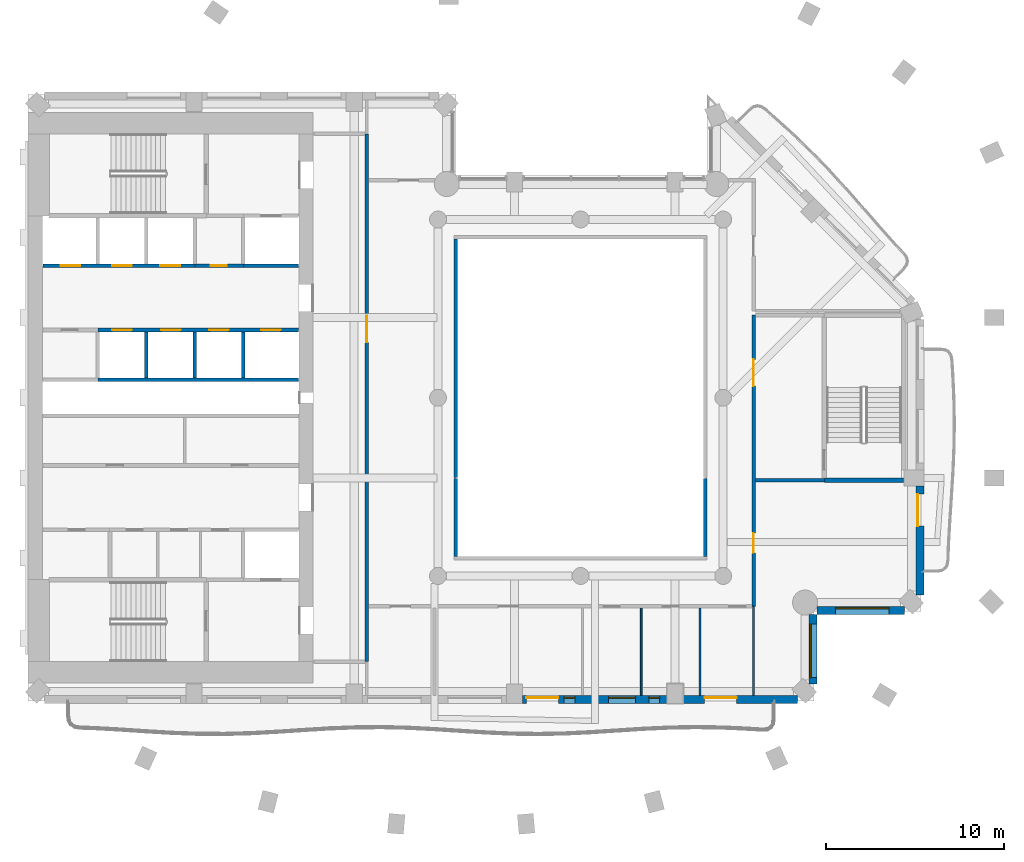
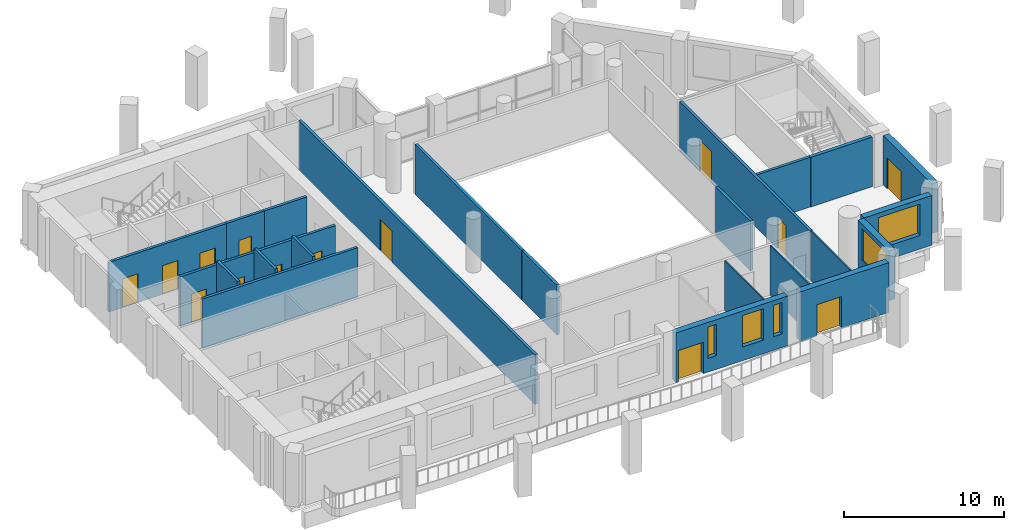
# One storey, part 5 of 13: 23 walls, 14 doors, 5 windows, 19 openings.
"""IFC4 building model written with IfcOpenShell, lengths in metres."""

from ifc_helpers import new_model, si_unit, direction, frame, frame_2d, origin, place, context, subcontext, project, spatial, rectangle, extrude, material, layer, layer_set, type_object, element, fill, save


model = new_model("IFC4")

# Units and contexts
model_context = context("Model", 3, precision=1e-05, world=origin(), true_north=direction((0.0, 1.0)))
body_context = subcontext(model_context, "Body", "Model", "MODEL_VIEW")
ifc_project = project(units=[si_unit("LENGTHUNIT", "METRE"), si_unit("AREAUNIT", "SQUARE_METRE"), si_unit("VOLUMEUNIT", "CUBIC_METRE"), si_unit("PLANEANGLEUNIT", "RADIAN"), si_unit("MASSUNIT", "GRAM", prefix="KILO")], contexts=[model_context])

# Site, building, storey
site_placement = place(None, origin())
site = spatial("IfcSite", under=ifc_project, at=site_placement, CompositionType="ELEMENT")
building_placement = place(site_placement, origin())
building = spatial("IfcBuilding", under=site, at=building_placement, Name="Cypress Arch Tower", CompositionType="ELEMENT")
storey_placement = place(building_placement, frame((0.0, 0.0, 209.699951171875)))
storey = spatial("IfcBuildingStorey", under=building, at=storey_placement, Name="L46", CompositionType="ELEMENT", Elevation=209.699951171875)

# Wall, openings, door, windows
ifc_material_1 = material(Name="Brick (red buff blend)", Category="masonry")
ifc_layer_1 = layer(ifc_material_1, 0.449951171875)
ifc_layer_set_1 = layer_set([ifc_layer_1], Name="Brick pier and spandrel wall BW450")
wall_type_1 = type_object("IfcWallType", Name="Brick pier and spandrel wall BW450", PredefinedType="SOLIDWALL", material=ifc_layer_set_1)
wall_1_placement = place(storey_placement, frame((-2.25, -16.925048828125, 0.0), z_axis=(0.0, 0.0, 1.0), x_axis=(1.0, 0.0, 0.0)))
wall_1 = element("IfcWall", 1, at=wall_1_placement, inside=storey, type_object=wall_type_1, Name="Brick wall L46 B01.3", PredefinedType="SOLIDWALL", context=body_context, shape_type="SweptSolid", body=[
    extrude(rectangle(XDim=8.10009765625, YDim=0.449951171875, at=frame_2d((4.050048828125, 0.0))), origin(), (0.0, 0.0, 1.0), 3.800048828125),
])
opening_1_placement = place(wall_1_placement, frame((0.199951171875, 0.0, 0.0)))
opening_1 = element("IfcOpeningElement", 2, at=opening_1_placement, cuts=wall_1, Name="Opening D-L46-B01.3.1", PredefinedType="OPENING", context=body_context, shape_type="SweptSolid", body=[
    extrude(rectangle(XDim=1.800048828125, YDim=2.39990234375, at=frame_2d((0.89990234375, 1.199951171875))), frame((0.0, 0.23486328125, 0.0), z_axis=(0.0, -1.0, 0.0), x_axis=(1.0, 0.0, 0.0)), (0.0, 0.0, 1.0), 0.469970703125),
])
opening_2_placement = place(wall_1_placement, frame((2.324951171875, 0.0, 1.050048828125)))
opening_2 = element("IfcOpeningElement", 3, at=opening_2_placement, cuts=wall_1, Name="Opening W060OD", PredefinedType="OPENING", context=body_context, shape_type="SweptSolid", body=[
    extrude(rectangle(XDim=0.60009765625, YDim=2.39990234375, at=frame_2d((0.300048828125, 1.199951171875))), frame((0.0, 0.23486328125, 0.0), z_axis=(0.0, -1.0, 0.0), x_axis=(1.0, 0.0, 0.0)), (0.0, 0.0, 1.0), 0.469970703125),
])
opening_3_placement = place(wall_1_placement, frame((4.824951171875, 0.0, 1.050048828125)))
opening_3 = element("IfcOpeningElement", 4, at=opening_3_placement, cuts=wall_1, Name="Opening W150OD", PredefinedType="OPENING", context=body_context, shape_type="SweptSolid", body=[
    extrude(rectangle(XDim=1.5, YDim=2.39990234375, at=frame_2d((0.75, 1.199951171875))), frame((0.0, 0.23486328125, 0.0), z_axis=(0.0, -1.0, 0.0), x_axis=(1.0, 0.0, 0.0)), (0.0, 0.0, 1.0), 0.469970703125),
])
opening_4_placement = place(wall_1_placement, frame((7.074951171875, 0.0, 1.050048828125)))
opening_4 = element("IfcOpeningElement", 5, at=opening_4_placement, cuts=wall_1, Name="Opening W060OD", PredefinedType="OPENING", context=body_context, shape_type="SweptSolid", body=[
    extrude(rectangle(XDim=0.60009765625, YDim=2.39990234375, at=frame_2d((0.300048828125, 1.199951171875))), frame((0.0, 0.23486328125, 0.0), z_axis=(0.0, -1.0, 0.0), x_axis=(1.0, 0.0, 0.0)), (0.0, 0.0, 1.0), 0.469970703125),
])
ifc_material_2 = material(Name="Anodised aluminium, bronze finish, laminated low-emissivity double glazing, large-missile impact rated", Category="aluminium")
door_type_1 = type_object("IfcDoorType", Name="Balcony sliding door 1800x2400", OperationType="SLIDING_TO_LEFT", PredefinedType="DOOR", material=ifc_material_2)
door_1_placement = place(opening_1_placement, origin())
door_1 = element("IfcDoor", 6, at=door_1_placement, inside=storey, type_object=door_type_1, Name="Balcony door L46 B01.3.1", OperationType="SLIDING_TO_LEFT", OverallHeight=2.39990234375, OverallWidth=1.800048828125, PredefinedType="DOOR", context=body_context, shape_type="SweptSolid", body=[
    extrude(rectangle(XDim=1.800048828125, YDim=2.39990234375, at=frame_2d((0.89990234375, 1.199951171875))), frame((0.0, 0.1298828125, 0.0), z_axis=(0.0, -1.0, 0.0), x_axis=(1.0, 0.0, 0.0)), (0.0, 0.0, 1.0), 0.050048828125),
])
fill(opening_1, door_1)
ifc_material_3 = material(Name="Anodised aluminium, bronze finish, laminated low-emissivity double glazing, large-missile impact rated", Category="aluminium")
window_type_1 = type_object("IfcWindowType", Name="Window Office 1500x2400 debris-rated", PartitioningType="SINGLE_PANEL", PredefinedType="WINDOW", material=ifc_material_3)
window_1_placement = place(opening_3_placement, origin())
window_1 = element("IfcWindow", 7, at=window_1_placement, inside=storey, type_object=window_type_1, Name="Window L46 B01.3.2", OverallHeight=2.39990234375, OverallWidth=1.5, PartitioningType="SINGLE_PANEL", PredefinedType="WINDOW", context=body_context, shape_type="SweptSolid", body=[
    extrude(rectangle(XDim=1.5, YDim=2.39990234375, at=frame_2d((0.75, 1.199951171875))), frame((0.0, 0.135009765625, 0.0), z_axis=(0.0, -1.0, 0.0), x_axis=(1.0, 0.0, 0.0)), (0.0, 0.0, 1.0), 0.06005859375),
])
fill(opening_3, window_1)
ifc_material_4 = material(Name="Anodised aluminium, bronze finish, laminated low-emissivity double glazing, large-missile impact rated", Category="aluminium")
window_type_2 = type_object("IfcWindowType", Name="Window Office 600x2400 debris-rated", PartitioningType="SINGLE_PANEL", PredefinedType="WINDOW", material=ifc_material_4)
window_2_placement = place(opening_2_placement, origin())
window_2 = element("IfcWindow", 8, at=window_2_placement, inside=storey, type_object=window_type_2, Name="Window L46 B01.3.1", OverallHeight=2.39990234375, OverallWidth=0.60009765625, PartitioningType="SINGLE_PANEL", PredefinedType="WINDOW", context=body_context, shape_type="SweptSolid", body=[
    extrude(rectangle(XDim=0.60009765625, YDim=2.39990234375, at=frame_2d((0.300048828125, 1.199951171875))), frame((0.0, 0.135009765625, 0.0), z_axis=(0.0, -1.0, 0.0), x_axis=(1.0, 0.0, 0.0)), (0.0, 0.0, 1.0), 0.06005859375),
])
fill(opening_2, window_2)
window_3_placement = place(opening_4_placement, origin())
window_3 = element("IfcWindow", 9, at=window_3_placement, inside=storey, type_object=window_type_2, Name="Window L46 B01.3.2b", OverallHeight=2.39990234375, OverallWidth=0.60009765625, PartitioningType="SINGLE_PANEL", PredefinedType="WINDOW", context=body_context, shape_type="SweptSolid", body=[
    extrude(rectangle(XDim=0.60009765625, YDim=2.39990234375, at=frame_2d((0.300048828125, 1.199951171875))), frame((0.0, 0.135009765625, 0.0), z_axis=(0.0, -1.0, 0.0), x_axis=(1.0, 0.0, 0.0)), (0.0, 0.0, 1.0), 0.06005859375),
])
fill(opening_4, window_3)

# Wall, opening, door
wall_2_placement = place(storey_placement, frame((6.75, -16.925048828125, 0.0), z_axis=(0.0, 0.0, 1.0), x_axis=(1.0, 0.0, 0.0)))
wall_2 = element("IfcWall", 10, at=wall_2_placement, inside=storey, type_object=wall_type_1, Name="Brick wall L46 B01.4", PredefinedType="SOLIDWALL", context=body_context, shape_type="SweptSolid", body=[
    extrude(rectangle(XDim=6.41357421875, YDim=0.449951171875, at=frame_2d((3.206787109375, 0.0))), origin(), (0.0, 0.0, 1.0), 3.800048828125),
])
opening_5_placement = place(wall_2_placement, frame((1.199951171875, 0.0, 0.0)))
opening_5 = element("IfcOpeningElement", 11, at=opening_5_placement, cuts=wall_2, Name="Opening D-L46-B01.4.1", PredefinedType="OPENING", context=body_context, shape_type="SweptSolid", body=[
    extrude(rectangle(XDim=1.800048828125, YDim=2.39990234375, at=frame_2d((0.89990234375, 1.199951171875))), frame((0.0, 0.23486328125, 0.0), z_axis=(0.0, -1.0, 0.0), x_axis=(1.0, 0.0, 0.0)), (0.0, 0.0, 1.0), 0.469970703125),
])
door_2_placement = place(opening_5_placement, origin())
door_2 = element("IfcDoor", 12, at=door_2_placement, inside=storey, type_object=door_type_1, Name="Balcony door L46 B01.4.1", OperationType="SLIDING_TO_LEFT", OverallHeight=2.39990234375, OverallWidth=1.800048828125, PredefinedType="DOOR", context=body_context, shape_type="SweptSolid", body=[
    extrude(rectangle(XDim=1.800048828125, YDim=2.39990234375, at=frame_2d((0.89990234375, 1.199951171875))), frame((0.0, 0.1298828125, 0.0), z_axis=(0.0, -1.0, 0.0), x_axis=(1.0, 0.0, 0.0)), (0.0, 0.0, 1.0), 0.050048828125),
])
fill(opening_5, door_2)

# Wall, opening, window
wall_3_placement = place(storey_placement, frame((14.02490234375, -16.063720703125, 0.0), z_axis=(0.0, 0.0, 1.0), x_axis=(0.0, 1.0, 0.0)))
wall_3 = element("IfcWall", 13, at=wall_3_placement, inside=storey, type_object=wall_type_1, Name="Brick wall L46 B02.0", PredefinedType="SOLIDWALL", context=body_context, shape_type="SweptSolid", body=[
    extrude(rectangle(XDim=3.9091796875, YDim=0.449951171875, at=frame_2d((1.95458984375, 0.0))), origin(), (0.0, 0.0, 1.0), 3.800048828125),
])
opening_6_placement = place(wall_3_placement, frame((0.363525390625, 0.0, 1.050048828125)))
opening_6 = element("IfcOpeningElement", 14, at=opening_6_placement, cuts=wall_3, Name="Opening W300O", PredefinedType="OPENING", context=body_context, shape_type="SweptSolid", body=[
    extrude(rectangle(XDim=3.0, YDim=2.39990234375, at=frame_2d((1.5, 1.199951171875))), frame((0.0, 0.23486328125, 0.0), z_axis=(0.0, -1.0, 0.0), x_axis=(1.0, 0.0, 0.0)), (0.0, 0.0, 1.0), 0.469970703125),
])
ifc_material_5 = material(Name="Anodised aluminium, bronze finish, clear low-emissivity double glazing", Category="aluminium")
window_type_3 = type_object("IfcWindowType", Name="Window Office 3000x2400", PartitioningType="SINGLE_PANEL", PredefinedType="WINDOW", material=ifc_material_5)
window_4_placement = place(opening_6_placement, origin())
window_4 = element("IfcWindow", 15, at=window_4_placement, inside=storey, type_object=window_type_3, Name="Window L46 B02.0.1", OverallHeight=2.39990234375, OverallWidth=3.0, PartitioningType="SINGLE_PANEL", PredefinedType="WINDOW", context=body_context, shape_type="SweptSolid", body=[
    extrude(rectangle(XDim=3.0, YDim=2.39990234375, at=frame_2d((1.5, 1.199951171875))), frame((0.0, 0.135009765625, 0.0), z_axis=(0.0, -1.0, 0.0), x_axis=(1.0, 0.0, 0.0)), (0.0, 0.0, 1.0), 0.06005859375),
])
fill(opening_6, window_4)

wall_4_placement = place(storey_placement, frame((14.254638671875, -11.925048828125, 0.0), z_axis=(0.0, 0.0, 1.0), x_axis=(1.0, 0.0, 0.0)))
wall_4 = element("IfcWall", 16, at=wall_4_placement, inside=storey, type_object=wall_type_1, Name="Brick wall L46 B03.0", PredefinedType="SOLIDWALL", context=body_context, shape_type="SweptSolid", body=[
    extrude(rectangle(XDim=4.908935546875, YDim=0.449951171875, at=frame_2d((2.45458984375, 0.0))), origin(), (0.0, 0.0, 1.0), 3.800048828125),
])
opening_7_placement = place(wall_4_placement, frame((1.04541015625, 0.0, 1.050048828125)))
opening_7 = element("IfcOpeningElement", 17, at=opening_7_placement, cuts=wall_4, Name="Opening W300O", PredefinedType="OPENING", context=body_context, shape_type="SweptSolid", body=[
    extrude(rectangle(XDim=3.0, YDim=2.39990234375, at=frame_2d((1.5, 1.199951171875))), frame((0.0, 0.23486328125, 0.0), z_axis=(0.0, -1.0, 0.0), x_axis=(1.0, 0.0, 0.0)), (0.0, 0.0, 1.0), 0.469970703125),
])
window_5_placement = place(opening_7_placement, origin())
window_5 = element("IfcWindow", 18, at=window_5_placement, inside=storey, type_object=window_type_3, Name="Window L46 B03.0.1", OverallHeight=2.39990234375, OverallWidth=3.0, PartitioningType="SINGLE_PANEL", PredefinedType="WINDOW", context=body_context, shape_type="SweptSolid", body=[
    extrude(rectangle(XDim=3.0, YDim=2.39990234375, at=frame_2d((1.5, 1.199951171875))), frame((0.0, 0.135009765625, 0.0), z_axis=(0.0, -1.0, 0.0), x_axis=(1.0, 0.0, 0.0)), (0.0, 0.0, 1.0), 0.06005859375),
])
fill(opening_7, window_5)

# Wall, opening, door
wall_5_placement = place(storey_placement, frame((20.02490234375, -11.063720703125, 0.0), z_axis=(0.0, 0.0, 1.0), x_axis=(0.0, 1.0, 0.0)))
wall_5 = element("IfcWall", 19, at=wall_5_placement, inside=storey, type_object=wall_type_1, Name="Brick wall L46 B04.0", PredefinedType="SOLIDWALL", context=body_context, shape_type="SweptSolid", body=[
    extrude(rectangle(XDim=6.11376953125, YDim=0.449951171875, at=frame_2d((3.056884765625, 0.0))), origin(), (0.0, 0.0, 1.0), 3.800048828125),
])
opening_8_placement = place(wall_5_placement, frame((3.863525390625, 0.0, 0.0)))
opening_8 = element("IfcOpeningElement", 20, at=opening_8_placement, cuts=wall_5, Name="Opening D-L46-B04.0.2", PredefinedType="OPENING", context=body_context, shape_type="SweptSolid", body=[
    extrude(rectangle(XDim=1.800048828125, YDim=2.39990234375, at=frame_2d((0.89990234375, 1.199951171875))), frame((0.0, 0.23486328125, 0.0), z_axis=(0.0, -1.0, 0.0), x_axis=(1.0, 0.0, 0.0)), (0.0, 0.0, 1.0), 0.469970703125),
])
door_3_placement = place(opening_8_placement, origin())
door_3 = element("IfcDoor", 21, at=door_3_placement, inside=storey, type_object=door_type_1, Name="Balcony door L46 B04.0.2", OperationType="SLIDING_TO_LEFT", OverallHeight=2.39990234375, OverallWidth=1.800048828125, PredefinedType="DOOR", context=body_context, shape_type="SweptSolid", body=[
    extrude(rectangle(XDim=1.800048828125, YDim=2.39990234375, at=frame_2d((0.89990234375, 1.199951171875))), frame((0.0, 0.1298828125, 0.0), z_axis=(0.0, -1.0, 0.0), x_axis=(1.0, 0.0, 0.0)), (0.0, 0.0, 1.0), 0.050048828125),
])
fill(opening_8, door_3)

ifc_material_6 = material(Name="Concrete blockwork, plastered, rated", Category="masonry")
ifc_layer_2 = layer(ifc_material_6, 0.199951171875)
ifc_layer_set_2 = layer_set([ifc_layer_2], Name="Corridor wall FW200")
wall_type_2 = type_object("IfcWallType", Name="Corridor wall FW200", PredefinedType="PARTITIONING", material=ifc_layer_set_2)
wall_6_placement = place(storey_placement, frame((-20.639892578125, 7.39990234375, 0.0), z_axis=(0.0, 0.0, 1.0), x_axis=(1.0, 0.0, 0.0)))
wall_6 = element("IfcWall", 22, at=wall_6_placement, inside=storey, type_object=wall_type_2, Name="Corridor wall", PredefinedType="PARTITIONING", context=body_context, shape_type="SweptSolid", body=[
    extrude(rectangle(XDim=2.719970703125, YDim=0.199951171875, at=frame_2d((1.35986328125, 0.0))), origin(), (0.0, 0.0, 1.0), 3.800048828125),
])
opening_9_placement = place(wall_6_placement, frame((0.89990234375, 0.0, 0.0)))
opening_9 = element("IfcOpeningElement", 23, at=opening_9_placement, cuts=wall_6, Name="Opening D05", PredefinedType="OPENING", context=body_context, shape_type="SweptSolid", body=[
    extrude(rectangle(XDim=0.89990234375, YDim=2.199951171875, at=frame_2d((0.449951171875, 1.10009765625))), frame((0.0, 0.10986328125, 0.0), z_axis=(0.0, -1.0, 0.0), x_axis=(1.0, 0.0, 0.0)), (0.0, 0.0, 1.0), 0.219970703125),
])
ifc_material_7 = material(Name="Timber flush door", Category="wood")
door_type_2 = type_object("IfcDoorType", Name="Service door D05 900x2200", OperationType="SINGLE_SWING_LEFT", PredefinedType="DOOR", material=ifc_material_7)
door_4_placement = place(opening_9_placement, origin())
door_4 = element("IfcDoor", 24, at=door_4_placement, inside=storey, type_object=door_type_2, Name="Service door", OperationType="SINGLE_SWING_LEFT", OverallHeight=2.199951171875, OverallWidth=0.89990234375, PredefinedType="DOOR", context=body_context, shape_type="SweptSolid", body=[
    extrude(rectangle(XDim=0.89990234375, YDim=2.199951171875, at=frame_2d((0.449951171875, 1.10009765625))), frame((0.0, 0.02490234375, 0.0), z_axis=(0.0, -1.0, 0.0), x_axis=(1.0, 0.0, 0.0)), (0.0, 0.0, 1.0), 0.050048828125),
])
fill(opening_9, door_4)

wall_7_placement = place(storey_placement, frame((-11.0, -14.800048828125, 0.0), z_axis=(0.0, 0.0, 1.0), x_axis=(0.0, 1.0, 0.0)))
wall_7 = element("IfcWall", 25, at=wall_7_placement, inside=storey, type_object=wall_type_2, Name="Corridor wall", PredefinedType="PARTITIONING", context=body_context, shape_type="SweptSolid", body=[
    extrude(rectangle(XDim=29.60009765625, YDim=0.199951171875, at=frame_2d((14.800048828125, 0.0))), origin(), (0.0, 0.0, 1.0), 3.800048828125),
])
opening_10_placement = place(wall_7_placement, frame((17.89990234375, 0.0, 0.0)))
opening_10 = element("IfcOpeningElement", 26, at=opening_10_placement, cuts=wall_7, Name="Opening D07", PredefinedType="OPENING", context=body_context, shape_type="SweptSolid", body=[
    extrude(rectangle(XDim=1.5, YDim=2.39990234375, at=frame_2d((0.75, 1.199951171875))), frame((0.0, 0.10986328125, 0.0), z_axis=(0.0, -1.0, 0.0), x_axis=(1.0, 0.0, 0.0)), (0.0, 0.0, 1.0), 0.219970703125),
])
ifc_material_8 = material(Name="Steel framed glazed door, fire resisting", Category="steel")
door_type_3 = type_object("IfcDoorType", Name="Lobby door D07 1500x2400", OperationType="DOUBLE_DOOR_SINGLE_SWING", PredefinedType="DOOR", material=ifc_material_8)
door_5_placement = place(opening_10_placement, origin())
door_5 = element("IfcDoor", 27, at=door_5_placement, inside=storey, type_object=door_type_3, Name="Lobby door", OperationType="DOUBLE_DOOR_SINGLE_SWING", OverallHeight=2.39990234375, OverallWidth=1.5, PredefinedType="DOOR", context=body_context, shape_type="SweptSolid", body=[
    extrude(rectangle(XDim=1.5, YDim=2.39990234375, at=frame_2d((0.75, 1.199951171875))), frame((0.0, 0.02490234375, 0.0), z_axis=(0.0, -1.0, 0.0), x_axis=(1.0, 0.0, 0.0)), (0.0, 0.0, 1.0), 0.050048828125),
])
fill(opening_10, door_5)

# Walls
wall_8_placement = place(storey_placement, frame((-6.0, -8.89990234375, 0.0), z_axis=(0.0, 0.0, 1.0), x_axis=(0.0, 1.0, 0.0)))
element("IfcWall", 28, at=wall_8_placement, inside=storey, type_object=wall_type_2, Name="Corridor wall", PredefinedType="PARTITIONING", context=body_context, shape_type="SweptSolid", body=[
    extrude(rectangle(XDim=4.3798828125, YDim=0.199951171875, at=frame_2d((2.18994140625, 0.0))), origin(), (0.0, 0.0, 1.0), 3.800048828125),
])
wall_9_placement = place(storey_placement, frame((-6.0, -4.47998046875, 0.0), z_axis=(0.0, 0.0, 1.0), x_axis=(0.0, 1.0, 0.0)))
element("IfcWall", 29, at=wall_9_placement, inside=storey, type_object=wall_type_2, Name="Corridor wall", PredefinedType="PARTITIONING", context=body_context, shape_type="SweptSolid", body=[
    extrude(rectangle(XDim=13.3798828125, YDim=0.199951171875, at=frame_2d((6.68994140625, 0.0))), origin(), (0.0, 0.0, 1.0), 3.800048828125),
])
wall_10_placement = place(storey_placement, frame((8.0, -8.89990234375, 0.0), z_axis=(0.0, 0.0, 1.0), x_axis=(0.0, 1.0, 0.0)))
element("IfcWall", 30, at=wall_10_placement, inside=storey, type_object=wall_type_2, Name="Corridor wall", PredefinedType="PARTITIONING", context=body_context, shape_type="SweptSolid", body=[
    extrude(rectangle(XDim=4.3798828125, YDim=0.199951171875, at=frame_2d((2.18994140625, 0.0))), origin(), (0.0, 0.0, 1.0), 3.800048828125),
])

# Wall, openings, doors
wall_11_placement = place(storey_placement, frame((10.699951171875, -11.699951171875, 0.0), z_axis=(0.0, 0.0, 1.0), x_axis=(0.0, 1.0, 0.0)))
wall_11 = element("IfcWall", 31, at=wall_11_placement, inside=storey, type_object=wall_type_2, Name="Corridor wall", PredefinedType="PARTITIONING", context=body_context, shape_type="SweptSolid", body=[
    extrude(rectangle(XDim=16.344970703125, YDim=0.199951171875, at=frame_2d((8.17236328125, 0.0))), origin(), (0.0, 0.0, 1.0), 3.800048828125),
])
opening_11_placement = place(wall_11_placement, frame((12.35009765625, 0.0, 0.0)))
opening_11 = element("IfcOpeningElement", 32, at=opening_11_placement, cuts=wall_11, Name="Opening D07", PredefinedType="OPENING", context=body_context, shape_type="SweptSolid", body=[
    extrude(rectangle(XDim=1.5, YDim=2.39990234375, at=frame_2d((0.75, 1.199951171875))), frame((0.0, 0.10986328125, 0.0), z_axis=(0.0, -1.0, 0.0), x_axis=(1.0, 0.0, 0.0)), (0.0, 0.0, 1.0), 0.219970703125),
])
opening_12_placement = place(wall_11_placement, frame((3.0, 0.0, 0.0)))
opening_12 = element("IfcOpeningElement", 33, at=opening_12_placement, cuts=wall_11, Name="Opening D01", PredefinedType="OPENING", context=body_context, shape_type="SweptSolid", body=[
    extrude(rectangle(XDim=1.10009765625, YDim=2.39990234375, at=frame_2d((0.550048828125, 1.199951171875))), frame((0.0, 0.10986328125, 0.0), z_axis=(0.0, -1.0, 0.0), x_axis=(1.0, 0.0, 0.0)), (0.0, 0.0, 1.0), 0.219970703125),
])
door_6_placement = place(opening_11_placement, origin())
door_6 = element("IfcDoor", 34, at=door_6_placement, inside=storey, type_object=door_type_3, Name="Lobby door", OperationType="DOUBLE_DOOR_SINGLE_SWING", OverallHeight=2.39990234375, OverallWidth=1.5, PredefinedType="DOOR", context=body_context, shape_type="SweptSolid", body=[
    extrude(rectangle(XDim=1.5, YDim=2.39990234375, at=frame_2d((0.75, 1.199951171875))), frame((0.0, 0.02490234375, 0.0), z_axis=(0.0, -1.0, 0.0), x_axis=(1.0, 0.0, 0.0)), (0.0, 0.0, 1.0), 0.050048828125),
])
fill(opening_11, door_6)
ifc_material_9 = material(Name="Timber flush door, fire resisting, self-closing", Category="wood")
door_type_4 = type_object("IfcDoorType", Name="Unit entrance door D01 1100x2400", OperationType="SINGLE_SWING_LEFT", PredefinedType="DOOR", material=ifc_material_9)
door_7_placement = place(opening_12_placement, origin())
door_7 = element("IfcDoor", 35, at=door_7_placement, inside=storey, type_object=door_type_4, Name="Unit entrance door", OperationType="SINGLE_SWING_LEFT", OverallHeight=2.39990234375, OverallWidth=1.10009765625, PredefinedType="DOOR", context=body_context, shape_type="SweptSolid", body=[
    extrude(rectangle(XDim=1.10009765625, YDim=2.39990234375, at=frame_2d((0.550048828125, 1.199951171875))), frame((0.0, 0.02490234375, 0.0), z_axis=(0.0, -1.0, 0.0), x_axis=(1.0, 0.0, 0.0)), (0.0, 0.0, 1.0), 0.050048828125),
])
fill(opening_12, door_7)

# Wall
wall_12_placement = place(storey_placement, frame((10.800048828125, -4.625, 0.0), z_axis=(0.0, 0.0, 1.0), x_axis=(1.0, 0.0, 0.0)))
element("IfcWall", 36, at=wall_12_placement, inside=storey, type_object=wall_type_2, Name="Corridor wall", PredefinedType="PARTITIONING", context=body_context, shape_type="SweptSolid", body=[
    extrude(rectangle(XDim=3.875, YDim=0.199951171875, at=frame_2d((1.9375, 0.0))), origin(), (0.0, 0.0, 1.0), 3.800048828125),
])

# Wall, openings, doors
ifc_material_10 = material(Name="Concrete C50/60", Category="concrete")
ifc_layer_3 = layer(ifc_material_10, 0.199951171875)
ifc_layer_set_3 = layer_set([ifc_layer_3], Name="Shaft wall SH200")
wall_type_3 = type_object("IfcWallType", Name="Shaft wall SH200", PredefinedType="SHEAR", material=ifc_layer_set_3)
wall_13_placement = place(storey_placement, frame((-29.169921875, 7.39990234375, 0.0), z_axis=(0.0, 0.0, 1.0), x_axis=(1.0, 0.0, 0.0)))
wall_13 = element("IfcWall", 37, at=wall_13_placement, inside=storey, type_object=wall_type_3, Name="Shaft wall", PredefinedType="SHEAR", context=body_context, shape_type="SweptSolid", body=[
    extrude(rectangle(XDim=8.530029296875, YDim=0.199951171875, at=frame_2d((4.26513671875, 0.0))), origin(), (0.0, 0.0, 1.0), 3.800048828125),
])
opening_13_placement = place(wall_13_placement, frame((1.0, 0.0, 0.0)))
opening_13 = element("IfcOpeningElement", 38, at=opening_13_placement, cuts=wall_13, Name="Opening LD-HR5", PredefinedType="OPENING", context=body_context, shape_type="SweptSolid", body=[
    extrude(rectangle(XDim=1.10009765625, YDim=2.199951171875, at=frame_2d((0.550048828125, 1.10009765625))), frame((0.0, 0.10986328125, 0.0), z_axis=(0.0, -1.0, 0.0), x_axis=(1.0, 0.0, 0.0)), (0.0, 0.0, 1.0), 0.219970703125),
])
opening_14_placement = place(wall_13_placement, frame((3.89990234375, 0.0, 0.0)))
opening_14 = element("IfcOpeningElement", 39, at=opening_14_placement, cuts=wall_13, Name="Opening LD-HR6", PredefinedType="OPENING", context=body_context, shape_type="SweptSolid", body=[
    extrude(rectangle(XDim=1.10009765625, YDim=2.199951171875, at=frame_2d((0.550048828125, 1.10009765625))), frame((0.0, 0.10986328125, 0.0), z_axis=(0.0, -1.0, 0.0), x_axis=(1.0, 0.0, 0.0)), (0.0, 0.0, 1.0), 0.219970703125),
])
opening_15_placement = place(wall_13_placement, frame((6.60009765625, 0.0, 0.0)))
opening_15 = element("IfcOpeningElement", 40, at=opening_15_placement, cuts=wall_13, Name="Opening LD-HR7", PredefinedType="OPENING", context=body_context, shape_type="SweptSolid", body=[
    extrude(rectangle(XDim=1.10009765625, YDim=2.199951171875, at=frame_2d((0.550048828125, 1.10009765625))), frame((0.0, 0.10986328125, 0.0), z_axis=(0.0, -1.0, 0.0), x_axis=(1.0, 0.0, 0.0)), (0.0, 0.0, 1.0), 0.219970703125),
])
ifc_material_11 = material(Name="Stainless steel centre-opening landing door, rated", Category="steel")
door_type_5 = type_object("IfcDoorType", Name="Lift landing door LD 1100x2200", OperationType="DOUBLE_DOOR_SLIDING", PredefinedType="DOOR", material=ifc_material_11)
door_8_placement = place(opening_13_placement, origin())
door_8 = element("IfcDoor", 41, at=door_8_placement, inside=storey, type_object=door_type_5, Name="Lift landing doors HR5", OperationType="DOUBLE_DOOR_SLIDING", OverallHeight=2.199951171875, OverallWidth=1.10009765625, PredefinedType="DOOR", context=body_context, shape_type="SweptSolid", body=[
    extrude(rectangle(XDim=1.10009765625, YDim=2.199951171875, at=frame_2d((0.550048828125, 1.10009765625))), frame((0.0, 0.02490234375, 0.0), z_axis=(0.0, -1.0, 0.0), x_axis=(1.0, 0.0, 0.0)), (0.0, 0.0, 1.0), 0.050048828125),
])
fill(opening_13, door_8)
door_9_placement = place(opening_14_placement, origin())
door_9 = element("IfcDoor", 42, at=door_9_placement, inside=storey, type_object=door_type_5, Name="Lift landing doors HR6", OperationType="DOUBLE_DOOR_SLIDING", OverallHeight=2.199951171875, OverallWidth=1.10009765625, PredefinedType="DOOR", context=body_context, shape_type="SweptSolid", body=[
    extrude(rectangle(XDim=1.10009765625, YDim=2.199951171875, at=frame_2d((0.550048828125, 1.10009765625))), frame((0.0, 0.02490234375, 0.0), z_axis=(0.0, -1.0, 0.0), x_axis=(1.0, 0.0, 0.0)), (0.0, 0.0, 1.0), 0.050048828125),
])
fill(opening_14, door_9)
door_10_placement = place(opening_15_placement, origin())
door_10 = element("IfcDoor", 43, at=door_10_placement, inside=storey, type_object=door_type_5, Name="Lift landing doors HR7", OperationType="DOUBLE_DOOR_SLIDING", OverallHeight=2.199951171875, OverallWidth=1.10009765625, PredefinedType="DOOR", context=body_context, shape_type="SweptSolid", body=[
    extrude(rectangle(XDim=1.10009765625, YDim=2.199951171875, at=frame_2d((0.550048828125, 1.10009765625))), frame((0.0, 0.02490234375, 0.0), z_axis=(0.0, -1.0, 0.0), x_axis=(1.0, 0.0, 0.0)), (0.0, 0.0, 1.0), 0.050048828125),
])
fill(opening_15, door_10)

# Wall
wall_14_placement = place(storey_placement, frame((-26.080078125, 1.0, 0.0), z_axis=(0.0, 0.0, 1.0), x_axis=(1.0, 0.0, 0.0)))
element("IfcWall", 44, at=wall_14_placement, inside=storey, type_object=wall_type_3, Name="Shaft wall", PredefinedType="SHEAR", context=body_context, shape_type="SweptSolid", body=[
    extrude(rectangle(XDim=11.25, YDim=0.199951171875, at=frame_2d((5.625, 0.0))), origin(), (0.0, 0.0, 1.0), 3.800048828125),
])

# Wall, openings, doors
wall_15_placement = place(storey_placement, frame((-26.080078125, 3.800048828125, 0.0), z_axis=(0.0, 0.0, 1.0), x_axis=(1.0, 0.0, 0.0)))
wall_15 = element("IfcWall", 45, at=wall_15_placement, inside=storey, type_object=wall_type_3, Name="Shaft wall", PredefinedType="SHEAR", context=body_context, shape_type="SweptSolid", body=[
    extrude(rectangle(XDim=11.25, YDim=0.199951171875, at=frame_2d((5.625, 0.0))), origin(), (0.0, 0.0, 1.0), 3.800048828125),
])
opening_16_placement = place(wall_15_placement, frame((0.800048828125, 0.0, 0.0)))
opening_16 = element("IfcOpeningElement", 46, at=opening_16_placement, cuts=wall_15, Name="Opening LD-HR1", PredefinedType="OPENING", context=body_context, shape_type="SweptSolid", body=[
    extrude(rectangle(XDim=1.10009765625, YDim=2.199951171875, at=frame_2d((0.550048828125, 1.10009765625))), frame((0.0, 0.10986328125, 0.0), z_axis=(0.0, -1.0, 0.0), x_axis=(1.0, 0.0, 0.0)), (0.0, 0.0, 1.0), 0.219970703125),
])
opening_17_placement = place(wall_15_placement, frame((3.550048828125, 0.0, 0.0)))
opening_17 = element("IfcOpeningElement", 47, at=opening_17_placement, cuts=wall_15, Name="Opening LD-HR2", PredefinedType="OPENING", context=body_context, shape_type="SweptSolid", body=[
    extrude(rectangle(XDim=1.10009765625, YDim=2.199951171875, at=frame_2d((0.550048828125, 1.10009765625))), frame((0.0, 0.10986328125, 0.0), z_axis=(0.0, -1.0, 0.0), x_axis=(1.0, 0.0, 0.0)), (0.0, 0.0, 1.0), 0.219970703125),
])
opening_18_placement = place(wall_15_placement, frame((6.25, 0.0, 0.0)))
opening_18 = element("IfcOpeningElement", 48, at=opening_18_placement, cuts=wall_15, Name="Opening LD-HR3", PredefinedType="OPENING", context=body_context, shape_type="SweptSolid", body=[
    extrude(rectangle(XDim=1.10009765625, YDim=2.199951171875, at=frame_2d((0.550048828125, 1.10009765625))), frame((0.0, 0.10986328125, 0.0), z_axis=(0.0, -1.0, 0.0), x_axis=(1.0, 0.0, 0.0)), (0.0, 0.0, 1.0), 0.219970703125),
])
opening_19_placement = place(wall_15_placement, frame((9.14990234375, 0.0, 0.0)))
opening_19 = element("IfcOpeningElement", 49, at=opening_19_placement, cuts=wall_15, Name="Opening LD-HR4", PredefinedType="OPENING", context=body_context, shape_type="SweptSolid", body=[
    extrude(rectangle(XDim=1.10009765625, YDim=2.199951171875, at=frame_2d((0.550048828125, 1.10009765625))), frame((0.0, 0.10986328125, 0.0), z_axis=(0.0, -1.0, 0.0), x_axis=(1.0, 0.0, 0.0)), (0.0, 0.0, 1.0), 0.219970703125),
])
door_11_placement = place(opening_16_placement, origin())
door_11 = element("IfcDoor", 50, at=door_11_placement, inside=storey, type_object=door_type_5, Name="Lift landing doors HR1", OperationType="DOUBLE_DOOR_SLIDING", OverallHeight=2.199951171875, OverallWidth=1.10009765625, PredefinedType="DOOR", context=body_context, shape_type="SweptSolid", body=[
    extrude(rectangle(XDim=1.10009765625, YDim=2.199951171875, at=frame_2d((0.550048828125, 1.10009765625))), frame((0.0, 0.02490234375, 0.0), z_axis=(0.0, -1.0, 0.0), x_axis=(1.0, 0.0, 0.0)), (0.0, 0.0, 1.0), 0.050048828125),
])
fill(opening_16, door_11)
door_12_placement = place(opening_17_placement, origin())
door_12 = element("IfcDoor", 51, at=door_12_placement, inside=storey, type_object=door_type_5, Name="Lift landing doors HR2", OperationType="DOUBLE_DOOR_SLIDING", OverallHeight=2.199951171875, OverallWidth=1.10009765625, PredefinedType="DOOR", context=body_context, shape_type="SweptSolid", body=[
    extrude(rectangle(XDim=1.10009765625, YDim=2.199951171875, at=frame_2d((0.550048828125, 1.10009765625))), frame((0.0, 0.02490234375, 0.0), z_axis=(0.0, -1.0, 0.0), x_axis=(1.0, 0.0, 0.0)), (0.0, 0.0, 1.0), 0.050048828125),
])
fill(opening_17, door_12)
door_13_placement = place(opening_18_placement, origin())
door_13 = element("IfcDoor", 52, at=door_13_placement, inside=storey, type_object=door_type_5, Name="Lift landing doors HR3", OperationType="DOUBLE_DOOR_SLIDING", OverallHeight=2.199951171875, OverallWidth=1.10009765625, PredefinedType="DOOR", context=body_context, shape_type="SweptSolid", body=[
    extrude(rectangle(XDim=1.10009765625, YDim=2.199951171875, at=frame_2d((0.550048828125, 1.10009765625))), frame((0.0, 0.02490234375, 0.0), z_axis=(0.0, -1.0, 0.0), x_axis=(1.0, 0.0, 0.0)), (0.0, 0.0, 1.0), 0.050048828125),
])
fill(opening_18, door_13)
door_14_placement = place(opening_19_placement, origin())
door_14 = element("IfcDoor", 53, at=door_14_placement, inside=storey, type_object=door_type_5, Name="Lift landing doors HR4", OperationType="DOUBLE_DOOR_SLIDING", OverallHeight=2.199951171875, OverallWidth=1.10009765625, PredefinedType="DOOR", context=body_context, shape_type="SweptSolid", body=[
    extrude(rectangle(XDim=1.10009765625, YDim=2.199951171875, at=frame_2d((0.550048828125, 1.10009765625))), frame((0.0, 0.02490234375, 0.0), z_axis=(0.0, -1.0, 0.0), x_axis=(1.0, 0.0, 0.0)), (0.0, 0.0, 1.0), 0.050048828125),
])
fill(opening_19, door_14)

# Walls
for number, where, z_axis, x_axis, name in (
    (54, (-23.360107421875, 1.10009765625, 0.0), (0.0, 0.0, 1.0), (0.0, 1.0, 0.0), "Shaft wall"),
    (55, (-20.639892578125, 1.10009765625, 0.0), (0.0, 0.0, 1.0), (0.0, 1.0, 0.0), "Shaft wall"),
    (56, (-17.919921875, 1.10009765625, 0.0), (0.0, 0.0, 1.0), (0.0, 1.0, 0.0), "Shaft wall"),
):
    element("IfcWall", number, at=place(storey_placement, frame(where, z_axis=z_axis, x_axis=x_axis)), inside=storey, type_object=wall_type_3, Name=name, PredefinedType="SHEAR", context=body_context, shape_type="SweptSolid", body=[
        extrude(rectangle(XDim=2.599853515625, YDim=0.199951171875, at=frame_2d((1.2998046875, 0.0))), origin(), (0.0, 0.0, 1.0), 4.10009765625),
    ])
wall_16_placement = place(storey_placement, frame((-17.919921875, 7.39990234375, 0.0), z_axis=(0.0, 0.0, 1.0), x_axis=(1.0, 0.0, 0.0)))
element("IfcWall", 57, at=wall_16_placement, inside=storey, type_object=wall_type_3, Name="Shaft wall", PredefinedType="SHEAR", context=body_context, shape_type="SweptSolid", body=[
    extrude(rectangle(XDim=3.08984375, YDim=0.199951171875, at=frame_2d((1.544921875, 0.0))), origin(), (0.0, 0.0, 1.0), 3.800048828125),
])
ifc_material_12 = material(Name="Concrete C50/60", Category="concrete")
ifc_layer_4 = layer(ifc_material_12, 0.25)
ifc_layer_set_4 = layer_set([ifc_layer_4], Name="Stair enclosure wall SW250")
wall_type_4 = type_object("IfcWallType", Name="Stair enclosure wall SW250", PredefinedType="SHEAR", material=ifc_layer_set_4)
wall_17_placement = place(storey_placement, frame((14.675048828125, -4.625, 0.0), z_axis=(0.0, 0.0, 1.0), x_axis=(1.0, 0.0, 0.0)))
element("IfcWall", 58, at=wall_17_placement, inside=storey, type_object=wall_type_4, Name="Stair enclosure wall", PredefinedType="SHEAR", context=body_context, shape_type="SweptSolid", body=[
    extrude(rectangle(XDim=4.449951171875, YDim=0.25, at=frame_2d((2.22509765625, 0.0))), origin(), (0.0, 0.0, 1.0), 3.800048828125),
])
ifc_material_13 = material(Name="Moisture resistant board on steel studs, tiled", Category="steel")
ifc_layer_5 = layer(ifc_material_13, 0.10009765625)
ifc_layer_set_5 = layer_set([ifc_layer_5], Name="Wet wall PW100")
wall_type_5 = type_object("IfcWallType", Name="Wet wall PW100", PredefinedType="PARTITIONING", material=ifc_layer_set_5)
for number, where, z_axis, x_axis, name in (
    (59, (4.39990234375, -16.699951171875, 0.0), (0.0, 0.0, 1.0), (0.0, 1.0, 0.0), "Wet wall"),
    (60, (7.699951171875, -16.699951171875, 0.0), (0.0, 0.0, 1.0), (0.0, 1.0, 0.0), "Wet wall"),
):
    element("IfcWall", number, at=place(storey_placement, frame(where, z_axis=z_axis, x_axis=x_axis)), inside=storey, type_object=wall_type_5, Name=name, PredefinedType="PARTITIONING", context=body_context, shape_type="SweptSolid", body=[
        extrude(rectangle(XDim=4.89990234375, YDim=0.10009765625, at=frame_2d((2.449951171875, 0.0))), origin(), (0.0, 0.0, 1.0), 3.800048828125),
    ])
wall_18_placement = place(storey_placement, frame((10.699951171875, -16.699951171875, 0.0), z_axis=(0.0, 0.0, 1.0), x_axis=(0.0, 1.0, 0.0)))
element("IfcWall", 61, at=wall_18_placement, inside=storey, type_object=wall_type_5, Name="Wet wall", PredefinedType="PARTITIONING", context=body_context, shape_type="SweptSolid", body=[
    extrude(rectangle(XDim=5.0, YDim=0.10009765625, at=frame_2d((2.5, 0.0))), origin(), (0.0, 0.0, 1.0), 3.800048828125),
])

save(model, "model.ifc")
